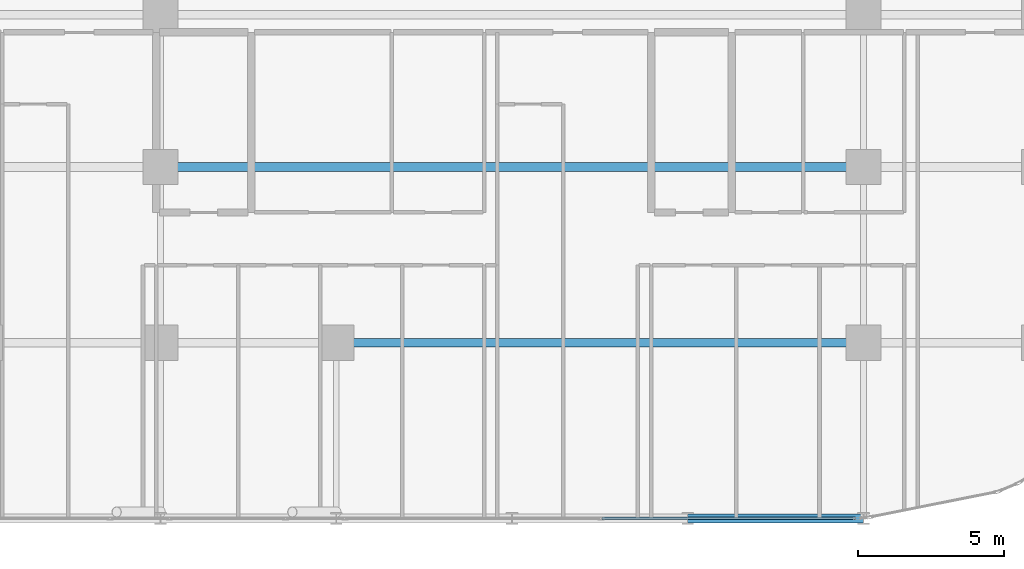
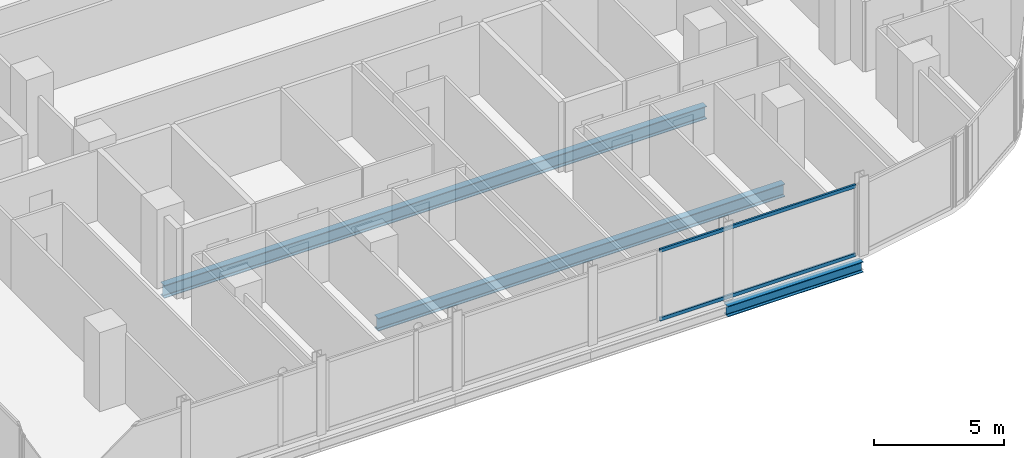
# One storey, part 9 of 33: 3 beams, 2 members, 1 element without a shape of its own.
"""IFC4 building model written with IfcOpenShell, lengths in metres."""

from ifc_helpers import new_model, si_unit, direction, frame, origin, origin_2d, place, context, subcontext, project, spatial, hollow_rectangle, i_section, extrude, material, layer, layer_set, material_profile, profile_set, type_object, element, aggregate, save


model = new_model("IFC4")

# Units and contexts
model_context = context("Model", 3, precision=1e-05, world=origin(), true_north=direction((0.0, 1.0)))
body_context = subcontext(model_context, "Body", "Model", "MODEL_VIEW")
ifc_project = project(units=[si_unit("LENGTHUNIT", "METRE"), si_unit("AREAUNIT", "SQUARE_METRE"), si_unit("VOLUMEUNIT", "CUBIC_METRE"), si_unit("PLANEANGLEUNIT", "RADIAN"), si_unit("MASSUNIT", "GRAM", prefix="KILO")], contexts=[model_context])

# Site, building, storey
site_placement = place(None, origin())
site = spatial("IfcSite", under=ifc_project, at=site_placement, CompositionType="ELEMENT")
building_placement = place(site_placement, origin())
building = spatial("IfcBuilding", under=site, at=building_placement, Name="Keshet Zoharim Tower", CompositionType="ELEMENT")
storey_placement = place(building_placement, frame((0.0, 0.0, 57.300048828125)))
storey = spatial("IfcBuildingStorey", under=building, at=storey_placement, Name="L13", CompositionType="ELEMENT", Elevation=57.300048828125)

# Beams
ifc_material_1 = material(Name="Steel S355", Category="steel")
ifc_material_profile_1 = material_profile(ifc_material_1, i_section(OverallWidth=0.300048828125, OverallDepth=0.60009765625, WebThickness=0.015380859375, FlangeThickness=0.030029296875, FilletRadius=0.027099609375, at=origin_2d()), Name="HEB600")
ifc_profile_set_1 = profile_set([ifc_material_profile_1], Name="Steel S355")
beam_type_1 = type_object("IfcBeamType", Name="BM-LNG-HB600", PredefinedType="BEAM", material=ifc_profile_set_1)
beam_1_placement = place(storey_placement, frame((39.0, 6.699951171875, -0.614990234375), z_axis=(1.0, 0.0, 0.0), x_axis=(0.0, 1.0, 0.0)))
element("IfcBeam", 1, at=beam_1_placement, inside=storey, type_object=beam_type_1, Name="L13 Primary Girder X-009", PredefinedType="BEAM", context=body_context, shape_type="SweptSolid", body=[
    extrude(i_section(OverallWidth=0.300048828125, OverallDepth=0.60009765625, WebThickness=0.015380859375, FlangeThickness=0.030029296875, FilletRadius=0.027099609375, at=origin_2d()), origin(), (0.0, 0.0, 1.0), 18.0),
])
beam_2_placement = place(storey_placement, frame((33.0, 12.699951171875, -0.614990234375), z_axis=(1.0, 0.0, 0.0), x_axis=(0.0, 1.0, 0.0)))
element("IfcBeam", 2, at=beam_2_placement, inside=storey, type_object=beam_type_1, Name="L13 Primary Girder X-012", PredefinedType="BEAM", context=body_context, shape_type="SweptSolid", body=[
    extrude(i_section(OverallWidth=0.300048828125, OverallDepth=0.60009765625, WebThickness=0.015380859375, FlangeThickness=0.030029296875, FilletRadius=0.027099609375, at=origin_2d()), origin(), (0.0, 0.0, 1.0), 24.0),
])
ifc_material_profile_2 = material_profile(ifc_material_1, i_section(OverallWidth=0.300048828125, OverallDepth=0.5, WebThickness=0.014404296875, FlangeThickness=0.028076171875, FilletRadius=0.027099609375, at=origin_2d()), Name="HEB500")
ifc_profile_set_2 = profile_set([ifc_material_profile_2], Name="Steel S355")
beam_type_2 = type_object("IfcBeamType", Name="BM-WEB-HB500", PredefinedType="BEAM", material=ifc_profile_set_2)
beam_3_placement = place(storey_placement, frame((51.0, 0.699951171875, -0.56494140625), z_axis=(1.0, 0.0, 0.0), x_axis=(0.0, 1.0, 0.0)))
element("IfcBeam", 3, at=beam_3_placement, inside=storey, type_object=beam_type_2, Name="L13 Primary Girder X-005", PredefinedType="BEAM", context=body_context, shape_type="SweptSolid", body=[
    extrude(i_section(OverallWidth=0.300048828125, OverallDepth=0.5, WebThickness=0.014404296875, FlangeThickness=0.028076171875, FilletRadius=0.027099609375, at=origin_2d()), origin(), (0.0, 0.0, 1.0), 6.0),
])

# Curtain wall, members
ifc_material_2 = material(Name="Aluminium 6063-T6", Category="aluminium")
ifc_layer = layer(ifc_material_2, 0.179931640625)
ifc_layer_set = layer_set([ifc_layer], Name="Aluminium 6063-T6")
curtain_wall_type = type_object("IfcCurtainWallType", Name="CW-SYS-01", PredefinedType="NOTDEFINED", material=ifc_layer_set)
curtain_wall_placement = place(storey_placement, origin())
curtain_wall = element("IfcCurtainWall", 4, at=curtain_wall_placement, inside=storey, type_object=curtain_wall_type, Name="L13 Unitised Curtain Wall 26", PredefinedType="NOTDEFINED")
ifc_material_profile_3 = material_profile(ifc_material_2, hollow_rectangle(XDim=0.0849609375, YDim=0.159912109375, WallThickness=0.00439453125, at=origin_2d()), Name="TRN-85x160")
ifc_profile_set_3 = profile_set([ifc_material_profile_3], Name="Aluminium 6063-T6")
member_type = type_object("IfcMemberType", Name="CWT-T16", PredefinedType="USERDEFINED", material=ifc_profile_set_3)
member_1_placement = place(storey_placement, frame((56.73291015625, 0.699951171875, 0.034912109375), z_axis=(-1.0, 0.0, 0.0), x_axis=(0.0, -1.0, 0.0)))
member_1 = element("IfcMember", 5, at=member_1_placement, type_object=member_type, Name="CW-01 transom 1.1", ObjectType="TRANSOM", PredefinedType="USERDEFINED", context=body_context, shape_type="SweptSolid", body=[
    extrude(hollow_rectangle(XDim=0.0849609375, YDim=0.159912109375, WallThickness=0.00439453125, at=origin_2d()), origin(), (0.0, 0.0, 1.0), 8.66552734375),
])
member_2_placement = place(storey_placement, frame((56.73291015625, 0.699951171875, 3.244873046875), z_axis=(-1.0, 0.0, 0.0), x_axis=(0.0, -1.0, 0.0)))
member_2 = element("IfcMember", 6, at=member_2_placement, type_object=member_type, Name="CW-01 transom 1.2", ObjectType="TRANSOM", PredefinedType="USERDEFINED", context=body_context, shape_type="SweptSolid", body=[
    extrude(hollow_rectangle(XDim=0.0849609375, YDim=0.159912109375, WallThickness=0.00439453125, at=origin_2d()), origin(), (0.0, 0.0, 1.0), 8.66552734375),
])
aggregate(curtain_wall, [member_1, member_2])

save(model, "model.ifc")
